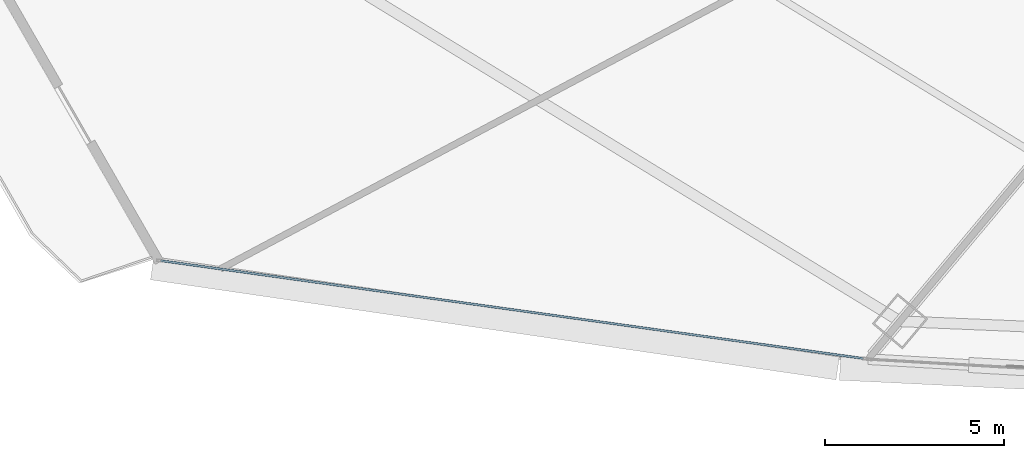
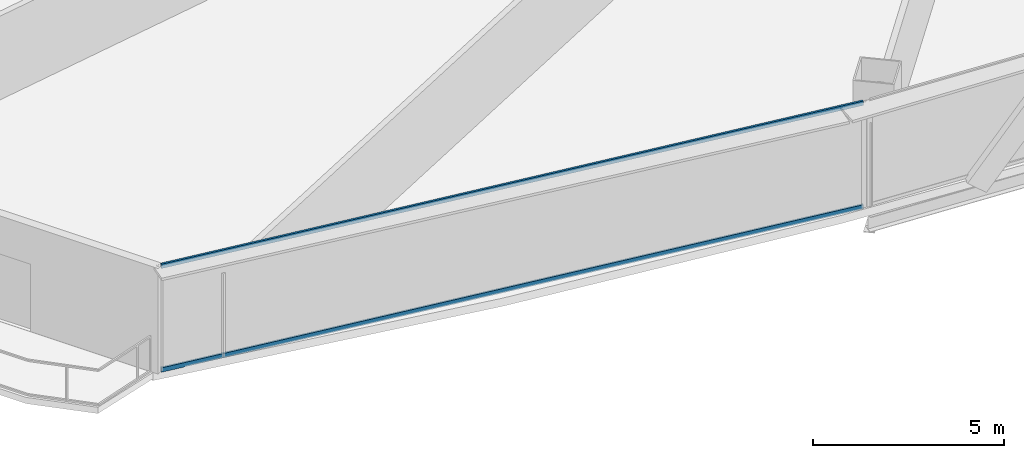
# One storey, part 3 of 37: 2 members, 1 element without a shape of its own.
"""IFC4 building model written with IfcOpenShell, lengths in metres."""

from ifc_helpers import new_model, si_unit, direction, frame, origin, origin_2d, place, context, subcontext, project, spatial, hollow_rectangle, extrude, source, transform, mapped, material, layer, layer_set, material_profile, profile_set, type_object, element, aggregate, save


model = new_model("IFC4")

# Units and contexts
model_context = context("Model", 3, precision=1e-05, world=origin(), true_north=direction((0.0, 1.0)))
body_context = subcontext(model_context, "Body", "Model", "MODEL_VIEW")
ifc_project = project(units=[si_unit("LENGTHUNIT", "METRE"), si_unit("AREAUNIT", "SQUARE_METRE"), si_unit("VOLUMEUNIT", "CUBIC_METRE"), si_unit("PLANEANGLEUNIT", "RADIAN"), si_unit("MASSUNIT", "GRAM", prefix="KILO"), si_unit("THERMODYNAMICTEMPERATUREUNIT", "KELVIN"), si_unit("POWERUNIT", "WATT")], contexts=[model_context])

# Site, building, storey
site_placement = place(None, origin())
site = spatial("IfcSite", under=ifc_project, at=site_placement, CompositionType="ELEMENT")
building_placement = place(site_placement, origin())
building = spatial("IfcBuilding", under=site, at=building_placement, Name="Yunzhuo Pagoda Commons", CompositionType="ELEMENT")
storey_placement = place(building_placement, frame((0.0, 0.0, 52.179931640625)))
storey = spatial("IfcBuildingStorey", under=building, at=storey_placement, Name="L13", CompositionType="ELEMENT", Elevation=52.179931640625)

# Curtain wall, members
ifc_material = material(Name="Anodized aluminium 6063-T6", Category="aluminium")
ifc_layer = layer(ifc_material, 0.1650390625)
ifc_layer_set = layer_set([ifc_layer], Name="Anodized aluminium 6063-T6")
curtain_wall_type = type_object("IfcCurtainWallType", Name="CW-LOW Low-Zone Ribbon Curtain Wall", PredefinedType="NOTDEFINED", material=ifc_layer_set)
curtain_wall_placement = place(storey_placement, origin())
curtain_wall = element("IfcCurtainWall", 1, at=curtain_wall_placement, inside=storey, type_object=curtain_wall_type, Name="L13 curtain wall CW-L13-F1B1", PredefinedType="NOTDEFINED")
ifc_material_profile = material_profile(ifc_material, hollow_rectangle(XDim=0.06005859375, YDim=0.139892578125, WallThickness=0.00341796875, at=origin_2d()), Name="Anodized aluminium 6063-T6")
ifc_profile_set = profile_set([ifc_material_profile], Name="Anodized aluminium 6063-T6")
member_type = type_object("IfcMemberType", Name="CW-LOW-T Transom RHS 140x60x3.5", PredefinedType="USERDEFINED", material=ifc_profile_set)
shared_shape = source(origin(), body_context, "Body", "SweptSolid", [
    extrude(hollow_rectangle(XDim=0.06005859375, YDim=0.139892578125, WallThickness=0.00341796875, at=origin_2d()), origin(), (0.0, 0.0, 1.0), 19.809326171875),
])
member_1_placement = place(storey_placement, frame((9.853515625, 14.53759765625, 0.030029296875), z_axis=(0.990444632664, -0.13791094818, 0.0), x_axis=(0.13791094818, 0.990444632664, 0.0)))
member_1 = element("IfcMember", 2, at=member_1_placement, type_object=member_type, Name="CW transom 1.1", ObjectType="TRANSOM", PredefinedType="USERDEFINED", context=body_context, shape_type="MappedRepresentation", body=[
    mapped(shared_shape, transform((0.0, 0.0, 0.0), scale=1.0)),
])
member_2_placement = place(storey_placement, frame((9.853515625, 14.53759765625, 3.34033203125), z_axis=(0.990444632664, -0.13791094818, 0.0), x_axis=(0.13791094818, 0.990444632664, 0.0)))
member_2 = element("IfcMember", 3, at=member_2_placement, type_object=member_type, Name="CW transom 1.2", ObjectType="TRANSOM", PredefinedType="USERDEFINED", context=body_context, shape_type="MappedRepresentation", body=[
    mapped(shared_shape, transform((0.0, 0.0, 0.0), scale=1.0)),
])
aggregate(curtain_wall, [member_1, member_2])

save(model, "model.ifc")
